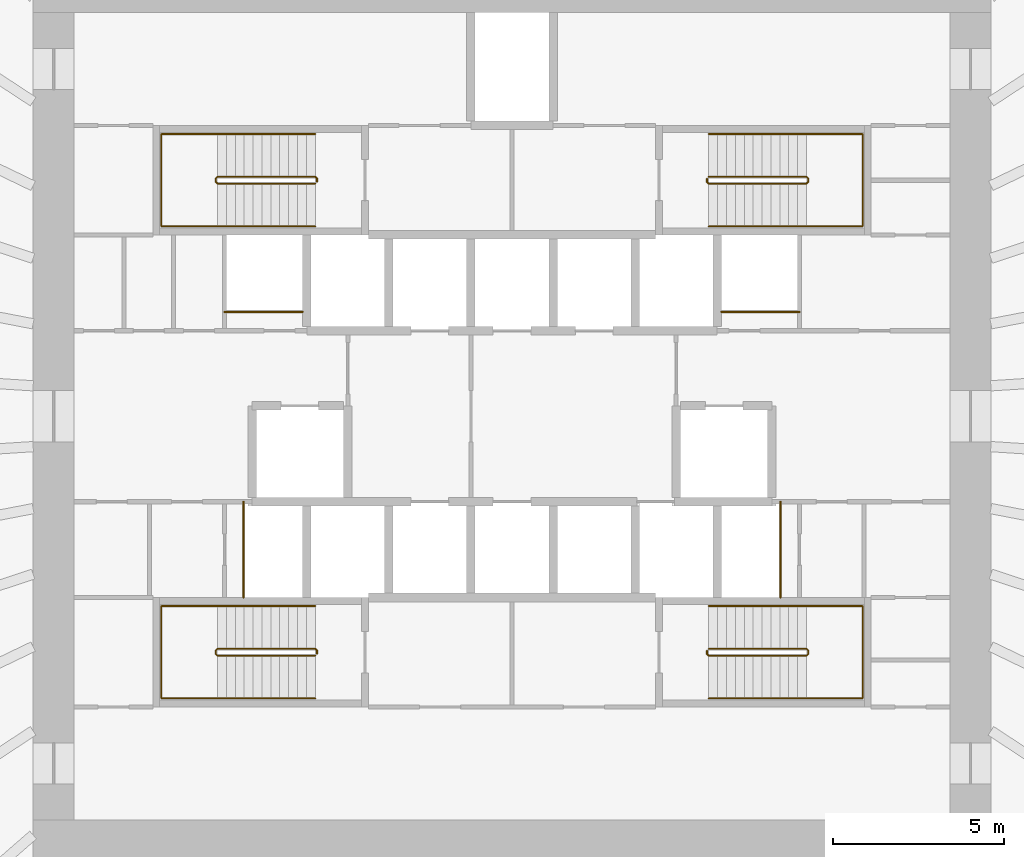
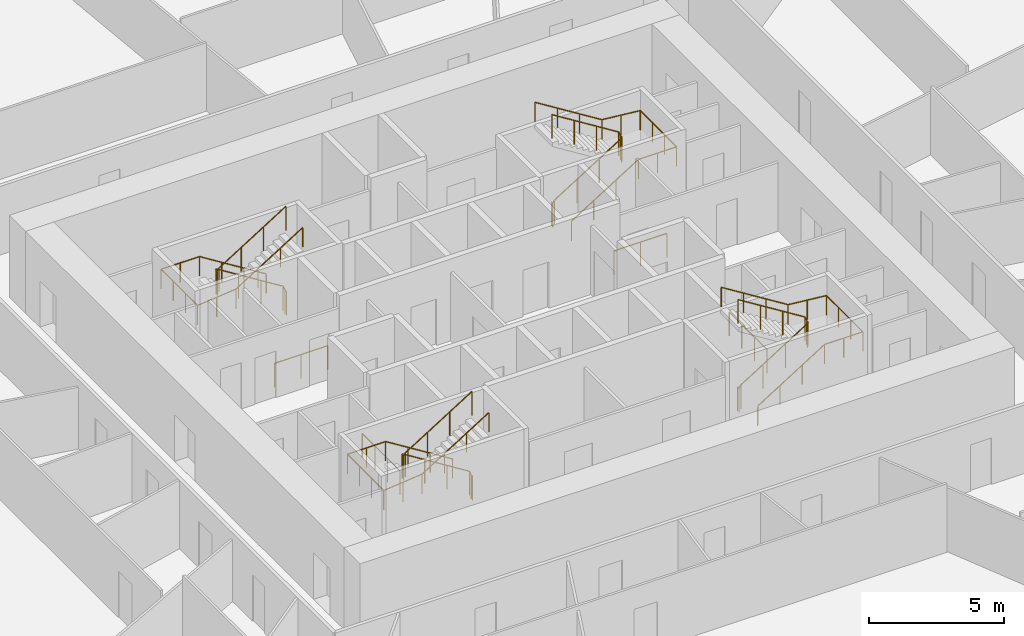
# One storey, part 11 of 11: 12 railings.
"""IFC4 building model written with IfcOpenShell, lengths in metres."""

from ifc_helpers import new_model, si_unit, direction, frame, origin, origin_2d, place, context, subcontext, project, spatial, circle, extrude, source, transform, mapped, material, type_object, element, save


model = new_model("IFC4")

# Units and contexts
model_context = context("Model", 3, precision=1e-05, world=origin(), true_north=direction((0.0, 1.0)))
body_context = subcontext(model_context, "Body", "Model", "MODEL_VIEW")
ifc_project = project(units=[si_unit("LENGTHUNIT", "METRE"), si_unit("AREAUNIT", "SQUARE_METRE"), si_unit("VOLUMEUNIT", "CUBIC_METRE"), si_unit("PLANEANGLEUNIT", "RADIAN"), si_unit("MASSUNIT", "GRAM", prefix="KILO")], contexts=[model_context])

# Site, building, storey
site_placement = place(None, origin())
site = spatial("IfcSite", under=ifc_project, at=site_placement, CompositionType="ELEMENT")
building_placement = place(site_placement, origin())
building = spatial("IfcBuilding", under=site, at=building_placement, Name="Embergate Tower", CompositionType="ELEMENT")
storey_placement = place(building_placement, frame((0.0, 0.0, 69.800048828125)))
storey = spatial("IfcBuildingStorey", under=building, at=storey_placement, Name="L13", CompositionType="ELEMENT", Elevation=69.800048828125)

# Railings
ifc_material_1 = material(Name="Stair guard 1100")
railing_type_1 = type_object("IfcRailingType", Name="Stair guard 1100", PredefinedType="GUARDRAIL", material=ifc_material_1)
shared_shape_1 = source(origin(), body_context, "Body", "SweptSolid", [
    extrude(circle(Radius=0.02392578125, at=origin_2d()), frame((0.0, 0.0, 1.076171875), z_axis=(0.0, 1.0, 0.0), x_axis=(-1.0, 0.0, 0.0)), (0.0, 0.0, 1.0), 0.099853515625),
    extrude(circle(Radius=0.02392578125, at=origin_2d()), frame((0.0, 0.099853515625, 1.076171875), z_axis=(-0.282583949758, 0.282583949758, 0.916674763849), x_axis=(-0.707106781187, -0.707106781187, 0.0)), (0.0, 0.0, 1.0), 0.177001953125),
    extrude(circle(Radius=0.02392578125, at=origin_2d()), frame((-0.050048828125, 0.14990234375, 1.23828125), z_axis=(-0.847994237388, 0.0, 0.530005446535), x_axis=(0.0, -1.0, 0.0)), (0.0, 0.0, 1.0), 3.372802734375),
    extrude(circle(Radius=0.02392578125, at=origin_2d()), frame((-2.91015625, 0.14990234375, 3.02587890625), z_axis=(-0.705375805398, -0.708833529934, 0.0), x_axis=(0.708833529934, -0.705375805398, 0.0)), (0.0, 0.0, 1.0), 0.070556640625),
    extrude(circle(Radius=0.02392578125, at=origin_2d()), frame((-2.9599609375, 0.099853515625, 3.02587890625), z_axis=(0.0, -1.0, 0.0), x_axis=(1.0, 0.0, 0.0)), (0.0, 0.0, 1.0), 0.099853515625),
    extrude(circle(Radius=0.02392578125, at=origin_2d()), frame((-2.9599609375, 0.0, 3.02587890625), z_axis=(0.280959487676, -0.282336740067, 0.917250092119), x_axis=(0.708833529934, 0.705375805398, 0.0)), (0.0, 0.0, 1.0), 0.17724609375),
    extrude(circle(Radius=0.02392578125, at=origin_2d()), frame((-2.91015625, -0.050048828125, 3.1884765625), z_axis=(0.848026770018, 0.0, 0.529953391661), x_axis=(0.0, 1.0, 0.0)), (0.0, 0.0, 1.0), 3.37255859375),
    extrude(circle(Radius=0.02099609375, at=origin_2d()), origin(), (0.0, 0.0, 1.0), 1.052001953125),
    extrude(circle(Radius=0.02099609375, at=origin_2d()), frame((0.0, 0.099853515625, 0.0)), (0.0, 0.0, 1.0), 1.052001953125),
    extrude(circle(Radius=0.02099609375, at=origin_2d()), frame((-0.050048828125, 0.14990234375, 0.162353515625)), (0.0, 0.0, 1.0), 1.052001953125),
    extrude(circle(Radius=0.02099609375, at=origin_2d()), frame((-1.00341796875, 0.14990234375, 0.75830078125)), (0.0, 0.0, 1.0), 1.052001953125),
    extrude(circle(Radius=0.02099609375, at=origin_2d()), frame((-1.956787109375, 0.14990234375, 1.35400390625)), (0.0, 0.0, 1.0), 1.052001953125),
    extrude(circle(Radius=0.02099609375, at=origin_2d()), frame((-2.91015625, 0.14990234375, 1.949951171875)), (0.0, 0.0, 1.0), 1.052001953125),
    extrude(circle(Radius=0.02099609375, at=origin_2d()), frame((-2.9599609375, 0.099853515625, 1.949951171875)), (0.0, 0.0, 1.0), 1.052001953125),
    extrude(circle(Radius=0.02099609375, at=origin_2d()), frame((-2.9599609375, 0.0, 1.949951171875)), (0.0, 0.0, 1.0), 1.052001953125),
    extrude(circle(Radius=0.02099609375, at=origin_2d()), frame((-2.91015625, -0.050048828125, 2.112548828125)), (0.0, 0.0, 1.0), 1.052001953125),
    extrude(circle(Radius=0.02099609375, at=origin_2d()), frame((-1.956787109375, -0.050048828125, 2.708251953125)), (0.0, 0.0, 1.0), 1.052001953125),
    extrude(circle(Radius=0.02099609375, at=origin_2d()), frame((-1.00341796875, -0.050048828125, 3.30419921875)), (0.0, 0.0, 1.0), 1.052001953125),
    extrude(circle(Radius=0.02099609375, at=origin_2d()), frame((-0.050048828125, -0.050048828125, 3.89990234375)), (0.0, 0.0, 1.0), 1.052001953125),
])
for number, where, name in (
    (1, (-5.699951171875, 6.85009765625, 0.0), "L13 ST1 stair guard 1"),
    (2, (-5.699951171875, -6.949951171875, 0.0), "L13 ST3 stair guard 1"),
):
    element("IfcRailing", number, at=place(storey_placement, frame(where)), inside=storey, type_object=railing_type_1, Name=name, PredefinedType="GUARDRAIL", context=body_context, shape_type="MappedRepresentation", body=[
        mapped(shared_shape_1, transform((0.0, 0.0, 0.0))),
    ])
ifc_material_2 = material(Name="Stair handrail 900")
railing_type_2 = type_object("IfcRailingType", Name="Stair handrail 900", PredefinedType="HANDRAIL", material=ifc_material_2)
shared_shape_2 = source(origin(), body_context, "Body", "SweptSolid", [
    extrude(circle(Radius=0.02392578125, at=origin_2d()), frame((0.0, 0.0, 0.8759765625), z_axis=(-0.847994237388, 0.0, 0.530005446535), x_axis=(0.0, -1.0, 0.0)), (0.0, 0.0, 1.0), 3.372802734375),
    extrude(circle(Radius=0.02392578125, at=origin_2d()), frame((-2.860107421875, 0.0, 2.66357421875), z_axis=(-1.0, 0.0, 0.0), x_axis=(0.0, -1.0, 0.0)), (0.0, 0.0, 1.0), 1.639892578125),
    extrude(circle(Radius=0.02392578125, at=origin_2d()), frame((-4.5, 0.0, 2.66357421875), z_axis=(0.0, -1.0, 0.0), x_axis=(1.0, 0.0, 0.0)), (0.0, 0.0, 1.0), 2.699951171875),
    extrude(circle(Radius=0.02392578125, at=origin_2d()), frame((-4.5, -2.699951171875, 2.66357421875), z_axis=(0.995120448088, 0.0, 0.098667592441), x_axis=(0.0, 1.0, 0.0)), (0.0, 0.0, 1.0), 1.64794921875),
    extrude(circle(Radius=0.02392578125, at=origin_2d()), frame((-2.860107421875, -2.699951171875, 2.826171875), z_axis=(0.848026770018, 0.0, 0.529953391661), x_axis=(0.0, 1.0, 0.0)), (0.0, 0.0, 1.0), 3.37255859375),
    extrude(circle(Radius=0.02099609375, at=origin_2d()), origin(), (0.0, 0.0, 1.0), 0.851806640625),
    extrude(circle(Radius=0.02099609375, at=origin_2d()), frame((-0.953369140625, 0.0, 0.595947265625)), (0.0, 0.0, 1.0), 0.851806640625),
    extrude(circle(Radius=0.02099609375, at=origin_2d()), frame((-1.90673828125, 0.0, 1.191650390625)), (0.0, 0.0, 1.0), 0.851806640625),
    extrude(circle(Radius=0.02099609375, at=origin_2d()), frame((-2.860107421875, 0.0, 1.78759765625)), (0.0, 0.0, 1.0), 0.851806640625),
    extrude(circle(Radius=0.02099609375, at=origin_2d()), frame((-3.68017578125, 0.0, 1.78759765625)), (0.0, 0.0, 1.0), 0.851806640625),
    extrude(circle(Radius=0.02099609375, at=origin_2d()), frame((-4.5, 0.0, 1.78759765625)), (0.0, 0.0, 1.0), 0.851806640625),
    extrude(circle(Radius=0.02099609375, at=origin_2d()), frame((-4.5, -0.89990234375, 1.78759765625)), (0.0, 0.0, 1.0), 0.851806640625),
    extrude(circle(Radius=0.02099609375, at=origin_2d()), frame((-4.5, -1.800048828125, 1.78759765625)), (0.0, 0.0, 1.0), 0.851806640625),
    extrude(circle(Radius=0.02099609375, at=origin_2d()), frame((-4.5, -2.699951171875, 1.78759765625)), (0.0, 0.0, 1.0), 0.851806640625),
    extrude(circle(Radius=0.02099609375, at=origin_2d()), frame((-3.68017578125, -2.699951171875, 1.868896484375)), (0.0, 0.0, 1.0), 0.851806640625),
    extrude(circle(Radius=0.02099609375, at=origin_2d()), frame((-2.860107421875, -2.699951171875, 1.9501953125)), (0.0, 0.0, 1.0), 0.851806640625),
    extrude(circle(Radius=0.02099609375, at=origin_2d()), frame((-1.90673828125, -2.699951171875, 2.5458984375)), (0.0, 0.0, 1.0), 0.851806640625),
    extrude(circle(Radius=0.02099609375, at=origin_2d()), frame((-0.953369140625, -2.699951171875, 3.141845703125)), (0.0, 0.0, 1.0), 0.851806640625),
    extrude(circle(Radius=0.02099609375, at=origin_2d()), frame((0.0, -2.699951171875, 3.737548828125)), (0.0, 0.0, 1.0), 0.851806640625),
])
for number, where, name in (
    (3, (-5.75, 8.25, 0.162353515625), "L13 ST1 stair handrail 1"),
    (4, (-5.75, -5.550048828125, 0.162353515625), "L13 ST3 stair handrail 1"),
):
    element("IfcRailing", number, at=place(storey_placement, frame(where)), inside=storey, type_object=railing_type_2, Name=name, PredefinedType="HANDRAIL", context=body_context, shape_type="MappedRepresentation", body=[
        mapped(shared_shape_2, transform((0.0, 0.0, 0.0))),
    ])
shared_shape_3 = source(origin(), body_context, "Body", "SweptSolid", [
    extrude(circle(Radius=0.02392578125, at=origin_2d()), frame((0.0, 0.0, 1.076171875), z_axis=(0.0, -1.0, 0.0), x_axis=(1.0, 0.0, 0.0)), (0.0, 0.0, 1.0), 0.099853515625),
    extrude(circle(Radius=0.02392578125, at=origin_2d()), frame((0.0, -0.099853515625, 1.076171875), z_axis=(0.282583949758, -0.282583949758, 0.916674763849), x_axis=(0.707106781187, 0.707106781187, 0.0)), (0.0, 0.0, 1.0), 0.177001953125),
    extrude(circle(Radius=0.02392578125, at=origin_2d()), frame((0.050048828125, -0.14990234375, 1.23828125), z_axis=(0.847994237388, 0.0, 0.530005446535), x_axis=(0.0, 1.0, 0.0)), (0.0, 0.0, 1.0), 3.372802734375),
    extrude(circle(Radius=0.02392578125, at=origin_2d()), frame((2.91015625, -0.14990234375, 3.02587890625), z_axis=(0.705375805398, 0.708833529934, 0.0), x_axis=(-0.708833529934, 0.705375805398, 0.0)), (0.0, 0.0, 1.0), 0.070556640625),
    extrude(circle(Radius=0.02392578125, at=origin_2d()), frame((2.9599609375, -0.099853515625, 3.02587890625), z_axis=(0.0, 1.0, 0.0), x_axis=(-1.0, 0.0, 0.0)), (0.0, 0.0, 1.0), 0.099853515625),
    extrude(circle(Radius=0.02392578125, at=origin_2d()), frame((2.9599609375, 0.0, 3.02587890625), z_axis=(-0.280959487676, 0.282336740067, 0.917250092119), x_axis=(-0.708833529934, -0.705375805398, 0.0)), (0.0, 0.0, 1.0), 0.17724609375),
    extrude(circle(Radius=0.02392578125, at=origin_2d()), frame((2.91015625, 0.050048828125, 3.1884765625), z_axis=(-0.848026770018, 0.0, 0.529953391661), x_axis=(0.0, -1.0, 0.0)), (0.0, 0.0, 1.0), 3.37255859375),
    extrude(circle(Radius=0.02099609375, at=origin_2d()), origin(), (0.0, 0.0, 1.0), 1.052001953125),
    extrude(circle(Radius=0.02099609375, at=origin_2d()), frame((0.0, -0.099853515625, 0.0)), (0.0, 0.0, 1.0), 1.052001953125),
    extrude(circle(Radius=0.02099609375, at=origin_2d()), frame((0.050048828125, -0.14990234375, 0.162353515625)), (0.0, 0.0, 1.0), 1.052001953125),
    extrude(circle(Radius=0.02099609375, at=origin_2d()), frame((1.00341796875, -0.14990234375, 0.75830078125)), (0.0, 0.0, 1.0), 1.052001953125),
    extrude(circle(Radius=0.02099609375, at=origin_2d()), frame((1.956787109375, -0.14990234375, 1.35400390625)), (0.0, 0.0, 1.0), 1.052001953125),
    extrude(circle(Radius=0.02099609375, at=origin_2d()), frame((2.91015625, -0.14990234375, 1.949951171875)), (0.0, 0.0, 1.0), 1.052001953125),
    extrude(circle(Radius=0.02099609375, at=origin_2d()), frame((2.9599609375, -0.099853515625, 1.949951171875)), (0.0, 0.0, 1.0), 1.052001953125),
    extrude(circle(Radius=0.02099609375, at=origin_2d()), frame((2.9599609375, 0.0, 1.949951171875)), (0.0, 0.0, 1.0), 1.052001953125),
    extrude(circle(Radius=0.02099609375, at=origin_2d()), frame((2.91015625, 0.050048828125, 2.112548828125)), (0.0, 0.0, 1.0), 1.052001953125),
    extrude(circle(Radius=0.02099609375, at=origin_2d()), frame((1.956787109375, 0.050048828125, 2.708251953125)), (0.0, 0.0, 1.0), 1.052001953125),
    extrude(circle(Radius=0.02099609375, at=origin_2d()), frame((1.00341796875, 0.050048828125, 3.30419921875)), (0.0, 0.0, 1.0), 1.052001953125),
    extrude(circle(Radius=0.02099609375, at=origin_2d()), frame((0.050048828125, 0.050048828125, 3.89990234375)), (0.0, 0.0, 1.0), 1.052001953125),
])
for number, where, name in (
    (5, (5.699951171875, 6.949951171875, 0.0), "L13 ST2 stair guard 1"),
    (6, (5.699951171875, -6.85009765625, 0.0), "L13 ST4 stair guard 1"),
):
    element("IfcRailing", number, at=place(storey_placement, frame(where)), inside=storey, type_object=railing_type_1, Name=name, PredefinedType="GUARDRAIL", context=body_context, shape_type="MappedRepresentation", body=[
        mapped(shared_shape_3, transform((0.0, 0.0, 0.0))),
    ])
shared_shape_4 = source(origin(), body_context, "Body", "SweptSolid", [
    extrude(circle(Radius=0.02392578125, at=origin_2d()), frame((0.0, 0.0, 0.8759765625), z_axis=(0.847994237388, 0.0, 0.530005446535), x_axis=(0.0, 1.0, 0.0)), (0.0, 0.0, 1.0), 3.372802734375),
    extrude(circle(Radius=0.02392578125, at=origin_2d()), frame((2.860107421875, 0.0, 2.66357421875), z_axis=(1.0, 0.0, 0.0), x_axis=(0.0, 1.0, 0.0)), (0.0, 0.0, 1.0), 1.639892578125),
    extrude(circle(Radius=0.02392578125, at=origin_2d()), frame((4.5, 0.0, 2.66357421875), z_axis=(0.0, 1.0, 0.0), x_axis=(-1.0, 0.0, 0.0)), (0.0, 0.0, 1.0), 2.699951171875),
    extrude(circle(Radius=0.02392578125, at=origin_2d()), frame((4.5, 2.699951171875, 2.66357421875), z_axis=(-0.995120448088, 0.0, 0.098667592441), x_axis=(0.0, -1.0, 0.0)), (0.0, 0.0, 1.0), 1.64794921875),
    extrude(circle(Radius=0.02392578125, at=origin_2d()), frame((2.860107421875, 2.699951171875, 2.826171875), z_axis=(-0.848026770018, 0.0, 0.529953391661), x_axis=(0.0, -1.0, 0.0)), (0.0, 0.0, 1.0), 3.37255859375),
    extrude(circle(Radius=0.02099609375, at=origin_2d()), origin(), (0.0, 0.0, 1.0), 0.851806640625),
    extrude(circle(Radius=0.02099609375, at=origin_2d()), frame((0.953369140625, 0.0, 0.595947265625)), (0.0, 0.0, 1.0), 0.851806640625),
    extrude(circle(Radius=0.02099609375, at=origin_2d()), frame((1.90673828125, 0.0, 1.191650390625)), (0.0, 0.0, 1.0), 0.851806640625),
    extrude(circle(Radius=0.02099609375, at=origin_2d()), frame((2.860107421875, 0.0, 1.78759765625)), (0.0, 0.0, 1.0), 0.851806640625),
    extrude(circle(Radius=0.02099609375, at=origin_2d()), frame((3.68017578125, 0.0, 1.78759765625)), (0.0, 0.0, 1.0), 0.851806640625),
    extrude(circle(Radius=0.02099609375, at=origin_2d()), frame((4.5, 0.0, 1.78759765625)), (0.0, 0.0, 1.0), 0.851806640625),
    extrude(circle(Radius=0.02099609375, at=origin_2d()), frame((4.5, 0.89990234375, 1.78759765625)), (0.0, 0.0, 1.0), 0.851806640625),
    extrude(circle(Radius=0.02099609375, at=origin_2d()), frame((4.5, 1.800048828125, 1.78759765625)), (0.0, 0.0, 1.0), 0.851806640625),
    extrude(circle(Radius=0.02099609375, at=origin_2d()), frame((4.5, 2.699951171875, 1.78759765625)), (0.0, 0.0, 1.0), 0.851806640625),
    extrude(circle(Radius=0.02099609375, at=origin_2d()), frame((3.68017578125, 2.699951171875, 1.868896484375)), (0.0, 0.0, 1.0), 0.851806640625),
    extrude(circle(Radius=0.02099609375, at=origin_2d()), frame((2.860107421875, 2.699951171875, 1.9501953125)), (0.0, 0.0, 1.0), 0.851806640625),
    extrude(circle(Radius=0.02099609375, at=origin_2d()), frame((1.90673828125, 2.699951171875, 2.5458984375)), (0.0, 0.0, 1.0), 0.851806640625),
    extrude(circle(Radius=0.02099609375, at=origin_2d()), frame((0.953369140625, 2.699951171875, 3.141845703125)), (0.0, 0.0, 1.0), 0.851806640625),
    extrude(circle(Radius=0.02099609375, at=origin_2d()), frame((0.0, 2.699951171875, 3.737548828125)), (0.0, 0.0, 1.0), 0.851806640625),
])
for number, where, name in (
    (7, (5.75, 5.550048828125, 0.162353515625), "L13 ST2 stair handrail 1"),
    (8, (5.75, -8.25, 0.162353515625), "L13 ST4 stair handrail 1"),
):
    element("IfcRailing", number, at=place(storey_placement, frame(where)), inside=storey, type_object=railing_type_2, Name=name, PredefinedType="HANDRAIL", context=body_context, shape_type="MappedRepresentation", body=[
        mapped(shared_shape_4, transform((0.0, 0.0, 0.0))),
    ])
ifc_material_3 = material(Name="Opening guard 1100")
railing_type_3 = type_object("IfcRailingType", Name="Opening guard 1100", PredefinedType="GUARDRAIL", material=ifc_material_3)
shared_shape_5 = source(origin(), body_context, "Body", "SweptSolid", [
    extrude(circle(Radius=0.02392578125, at=origin_2d()), frame((0.0, 0.0, 1.076171875), z_axis=(1.0, 0.0, 0.0), x_axis=(0.0, 1.0, 0.0)), (0.0, 0.0, 1.0), 2.27490234375),
    extrude(circle(Radius=0.02099609375, at=origin_2d()), origin(), (0.0, 0.0, 1.0), 1.052001953125),
    extrude(circle(Radius=0.02099609375, at=origin_2d()), frame((1.137451171875, 0.0, 0.0)), (0.0, 0.0, 1.0), 1.052001953125),
    extrude(circle(Radius=0.02099609375, at=origin_2d()), frame((2.27490234375, 0.0, 0.0)), (0.0, 0.0, 1.0), 1.052001953125),
])
for number, where, name in (
    (9, (-8.39990234375, 3.050048828125, 0.0), "Riser opening guard"),
    (10, (6.125, 3.050048828125, 0.0), "Riser opening guard"),
):
    element("IfcRailing", number, at=place(storey_placement, frame(where)), inside=storey, type_object=railing_type_3, Name=name, PredefinedType="GUARDRAIL", context=body_context, shape_type="MappedRepresentation", body=[
        mapped(shared_shape_5, transform((0.0, 0.0, 0.0))),
    ])
shared_shape_6 = source(origin(), body_context, "Body", "SweptSolid", [
    extrude(circle(Radius=0.02392578125, at=origin_2d()), frame((0.0, 0.0, 1.076171875), z_axis=(0.0, 1.0, 0.0), x_axis=(-1.0, 0.0, 0.0)), (0.0, 0.0, 1.0), 2.800048828125),
    extrude(circle(Radius=0.02099609375, at=origin_2d()), origin(), (0.0, 0.0, 1.0), 1.052001953125),
    extrude(circle(Radius=0.02099609375, at=origin_2d()), frame((0.0, 0.933349609375, 0.0)), (0.0, 0.0, 1.0), 1.052001953125),
    extrude(circle(Radius=0.02099609375, at=origin_2d()), frame((0.0, 1.86669921875, 0.0)), (0.0, 0.0, 1.0), 1.052001953125),
    extrude(circle(Radius=0.02099609375, at=origin_2d()), frame((0.0, 2.800048828125, 0.0)), (0.0, 0.0, 1.0), 1.052001953125),
])
for number, where, name in (
    (11, (-7.85009765625, -5.300048828125, 0.0), "Riser opening guard"),
    (12, (7.85009765625, -5.300048828125, 0.0), "Riser opening guard"),
):
    element("IfcRailing", number, at=place(storey_placement, frame(where)), inside=storey, type_object=railing_type_3, Name=name, PredefinedType="GUARDRAIL", context=body_context, shape_type="MappedRepresentation", body=[
        mapped(shared_shape_6, transform((0.0, 0.0, 0.0))),
    ])

save(model, "model.ifc")
